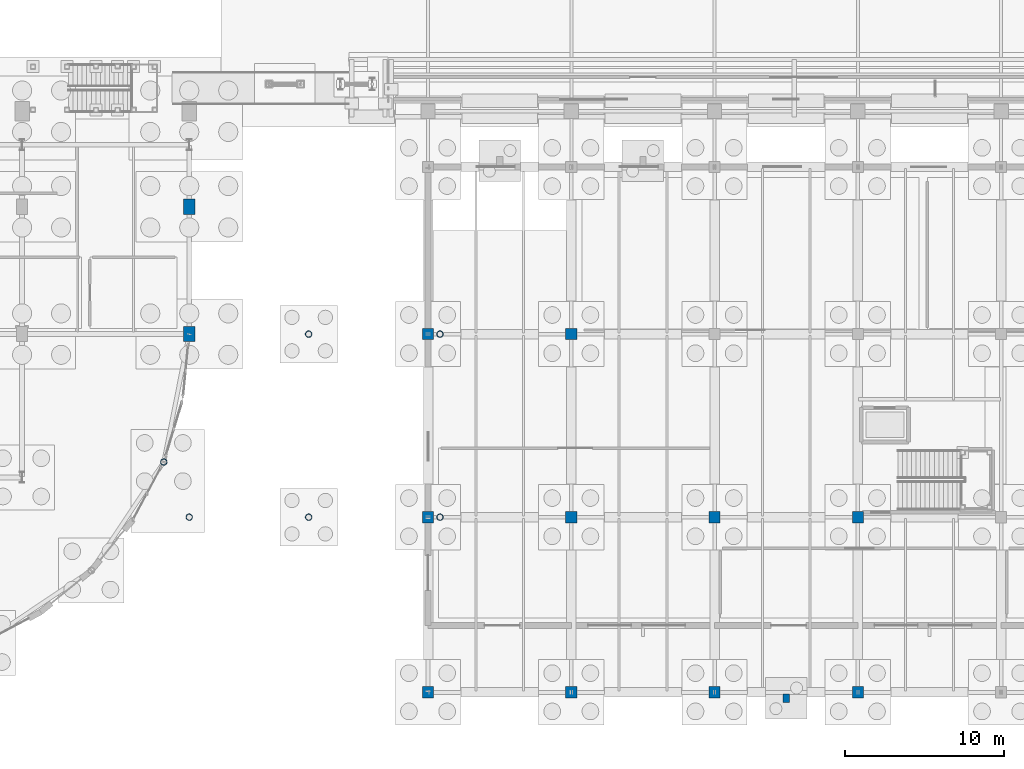
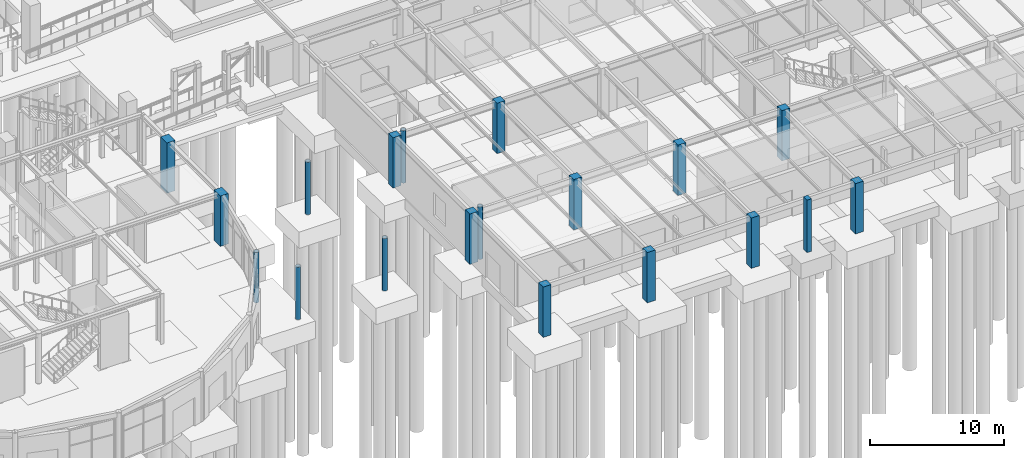
# One storey, part 26 of 160: 19 columns.
"""IFC4 building model written with IfcOpenShell, lengths in metres."""

from ifc_helpers import new_model, si_unit, direction, frame, origin, origin_2d, place, context, subcontext, project, spatial, rectangle, hollow_circle, extrude, material, material_profile, profile_set, type_object, element, save


model = new_model("IFC4")

# Units and contexts
model_context = context("Model", 3, precision=1e-05, world=origin(), true_north=direction((0.0, 1.0)))
body_context = subcontext(model_context, "Body", "Model", "MODEL_VIEW")
ifc_project = project(units=[si_unit("LENGTHUNIT", "METRE"), si_unit("AREAUNIT", "SQUARE_METRE"), si_unit("VOLUMEUNIT", "CUBIC_METRE"), si_unit("PLANEANGLEUNIT", "RADIAN"), si_unit("MASSUNIT", "GRAM", prefix="KILO")], contexts=[model_context])

# Site, building, storey
site_placement = place(None, origin())
site = spatial("IfcSite", under=ifc_project, at=site_placement, CompositionType="ELEMENT")
building_placement = place(site_placement, origin())
building = spatial("IfcBuilding", under=site, at=building_placement, Name="Marlcrest Central Station", CompositionType="ELEMENT")
storey_placement = place(building_placement, origin())
storey = spatial("IfcBuildingStorey", under=building, at=storey_placement, Name="L00", CompositionType="ELEMENT", Elevation=0.0)

# Columns
ifc_material_1 = material(Name="Precast concrete C40/50", Category="concrete")
ifc_material_profile_1 = material_profile(ifc_material_1, rectangle(XDim=0.39990234375, YDim=0.550048828125, at=origin_2d()), Name="PIL 400x550")
ifc_profile_set_1 = profile_set([ifc_material_profile_1], Name="Precast concrete C40/50")
column_type_1 = type_object("IfcColumnType", Name="PL-02", PredefinedType="PILASTER", material=ifc_profile_set_1)
column_1_placement = place(storey_placement, frame((166.5, -0.3798828125, 0.0), z_axis=(0.0, 0.0, 1.0), x_axis=(1.0, 0.0, 0.0)))
element("IfcColumn", 1, at=column_1_placement, inside=storey, type_object=column_type_1, Name="col-PL-02-L00-0291", PredefinedType="PILASTER", context=body_context, shape_type="SweptSolid", body=[
    extrude(rectangle(XDim=0.39990234375, YDim=0.550048828125, at=origin_2d()), origin(), (0.0, 0.0, 1.0), 4.800048828125),
])
ifc_material_2 = material(Name="Concrete C50/60", Category="concrete")
ifc_material_profile_2 = material_profile(ifc_material_2, rectangle(XDim=0.699951171875, YDim=0.699951171875, at=origin_2d()), Name="RC 700x700")
ifc_profile_set_2 = profile_set([ifc_material_profile_2], Name="Concrete C50/60")
column_type_2 = type_object("IfcColumnType", Name="RC-06", PredefinedType="COLUMN", material=ifc_profile_set_2)
for number, where, z_axis, x_axis, name in (
    (2, (144.0, 0.0, 0.0), (0.0, 0.0, 1.0), (1.0, 0.0, 0.0), "col-RC-06-L00-0253"),
    (3, (144.0, 11.0, 0.0), (0.0, 0.0, 1.0), (1.0, 0.0, 0.0), "col-RC-06-L00-0254"),
    (4, (144.0, 22.5, 0.0), (0.0, 0.0, 1.0), (1.0, 0.0, 0.0), "col-RC-06-L00-0255"),
    (5, (153.0, 0.0, 0.0), (0.0, 0.0, 1.0), (1.0, 0.0, 0.0), "col-RC-06-L00-0257"),
    (6, (153.0, 11.0, 0.0), (0.0, 0.0, 1.0), (1.0, 0.0, 0.0), "col-RC-06-L00-0258"),
    (7, (153.0, 22.5, 0.0), (0.0, 0.0, 1.0), (1.0, 0.0, 0.0), "col-RC-06-L00-0259"),
    (8, (162.0, 0.0, 0.0), (0.0, 0.0, 1.0), (1.0, 0.0, 0.0), "col-RC-06-L00-0261"),
    (9, (162.0, 11.0, 0.0), (0.0, 0.0, 1.0), (1.0, 0.0, 0.0), "col-RC-06-L00-0262"),
    (10, (171.0, 0.0, 0.0), (0.0, 0.0, 1.0), (1.0, 0.0, 0.0), "col-RC-06-L00-0265"),
    (11, (171.0, 11.0, 0.0), (0.0, 0.0, 1.0), (1.0, 0.0, 0.0), "col-RC-06-L00-0266"),
):
    element("IfcColumn", number, at=place(storey_placement, frame(where, z_axis=z_axis, x_axis=x_axis)), inside=storey, type_object=column_type_2, Name=name, PredefinedType="COLUMN", context=body_context, shape_type="SweptSolid", body=[
        extrude(rectangle(XDim=0.699951171875, YDim=0.699951171875, at=origin_2d()), origin(), (0.0, 0.0, 1.0), 4.60498046875),
    ])
ifc_material_profile_3 = material_profile(ifc_material_2, rectangle(XDim=0.699951171875, YDim=0.949951171875, at=origin_2d()), Name="RC 700x950")
ifc_profile_set_3 = profile_set([ifc_material_profile_3], Name="Concrete C50/60")
column_type_3 = type_object("IfcColumnType", Name="RC-10", PredefinedType="COLUMN", material=ifc_profile_set_3)
for number, where, z_axis, x_axis, name in (
    (12, (129.0, 22.5, 0.0), (0.0, 0.0, 1.0), (1.0, 0.0, 0.0), "col-RC-10-L00-0675"),
    (13, (129.0, 30.5, 0.0), (0.0, 0.0, 1.0), (1.0, 0.0, 0.0), "col-RC-10-L00-0693"),
):
    element("IfcColumn", number, at=place(storey_placement, frame(where, z_axis=z_axis, x_axis=x_axis)), inside=storey, type_object=column_type_3, Name=name, PredefinedType="COLUMN", context=body_context, shape_type="SweptSolid", body=[
        extrude(rectangle(XDim=0.699951171875, YDim=0.949951171875, at=origin_2d()), origin(), (0.0, 0.0, 1.0), 4.610107421875),
    ])
ifc_material_3 = material(Name="Steel S355", Category="steel")
ifc_material_profile_4 = material_profile(ifc_material_3, hollow_circle(Radius=0.203125, WallThickness=0.02001953125, at=origin_2d()), Name="CHS 406.4x20")
ifc_profile_set_4 = profile_set([ifc_material_profile_4], Name="Steel S355")
column_type_4 = type_object("IfcColumnType", Name="SC-10", PredefinedType="COLUMN", material=ifc_profile_set_4)
column_2_placement = place(storey_placement, frame((127.40087890625, 14.464111328125, 0.0), z_axis=(0.0, 0.0, 1.0), x_axis=(1.0, 0.0, 0.0)))
element("IfcColumn", 14, at=column_2_placement, inside=storey, type_object=column_type_4, Name="col-SC-10-L00-0811", PredefinedType="COLUMN", context=body_context, shape_type="SweptSolid", body=[
    extrude(hollow_circle(Radius=0.203125, WallThickness=0.02001953125, at=origin_2d()), origin(), (0.0, 0.0, 1.0), 4.610107421875),
])
for number, where, z_axis, x_axis, name in (
    (15, (129.0, 11.0, 0.0), (0.0, 0.0, 1.0), (1.0, 0.0, 0.0), "col-SC-10-L00-0899"),
    (16, (136.5, 11.0, 0.0), (0.0, 0.0, 1.0), (1.0, 0.0, 0.0), "col-SC-10-L00-0901"),
    (17, (136.5, 22.5, 0.0), (0.0, 0.0, 1.0), (1.0, 0.0, 0.0), "col-SC-10-L00-0903"),
    (18, (144.75, 11.0, 0.0), (0.0, 0.0, 1.0), (1.0, 0.0, 0.0), "col-SC-10-L00-0905"),
    (19, (144.75, 22.5, 0.0), (0.0, 0.0, 1.0), (1.0, 0.0, 0.0), "col-SC-10-L00-0907"),
):
    element("IfcColumn", number, at=place(storey_placement, frame(where, z_axis=z_axis, x_axis=x_axis)), inside=storey, type_object=column_type_4, Name=name, PredefinedType="COLUMN", context=body_context, shape_type="SweptSolid", body=[
        extrude(hollow_circle(Radius=0.203125, WallThickness=0.02001953125, at=origin_2d()), origin(), (0.0, 0.0, 1.0), 4.800048828125),
    ])

save(model, "model.ifc")
